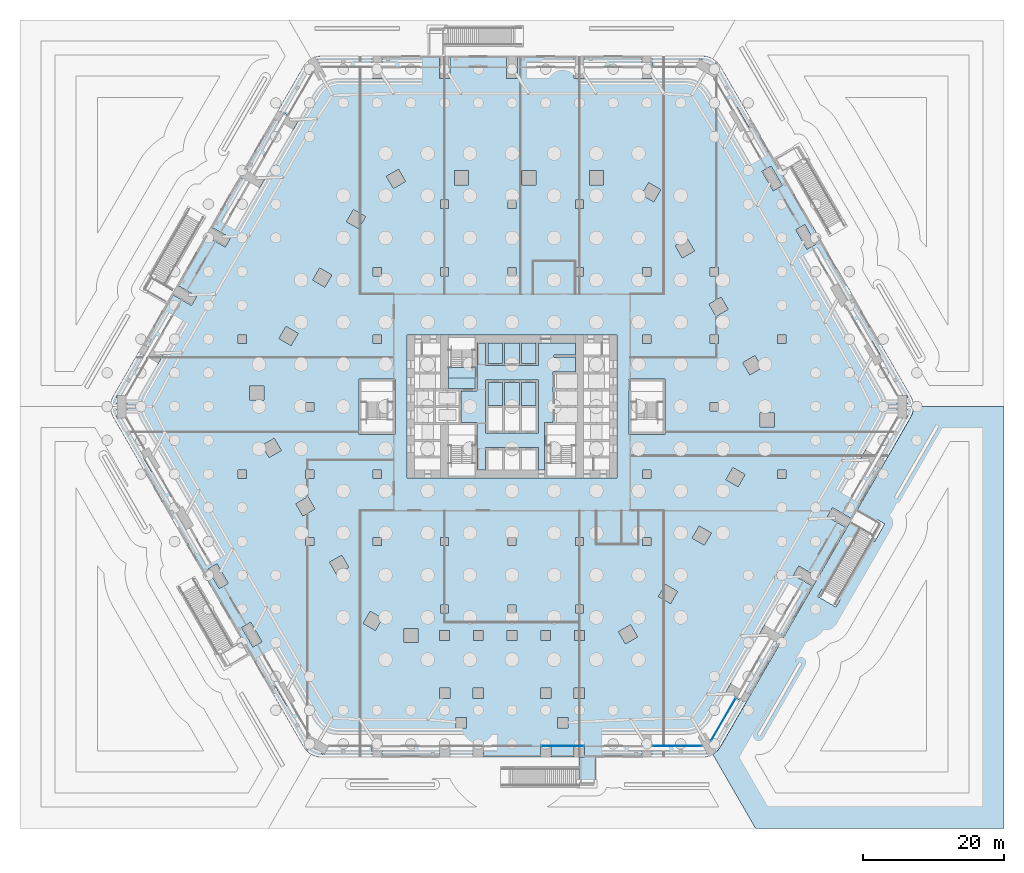
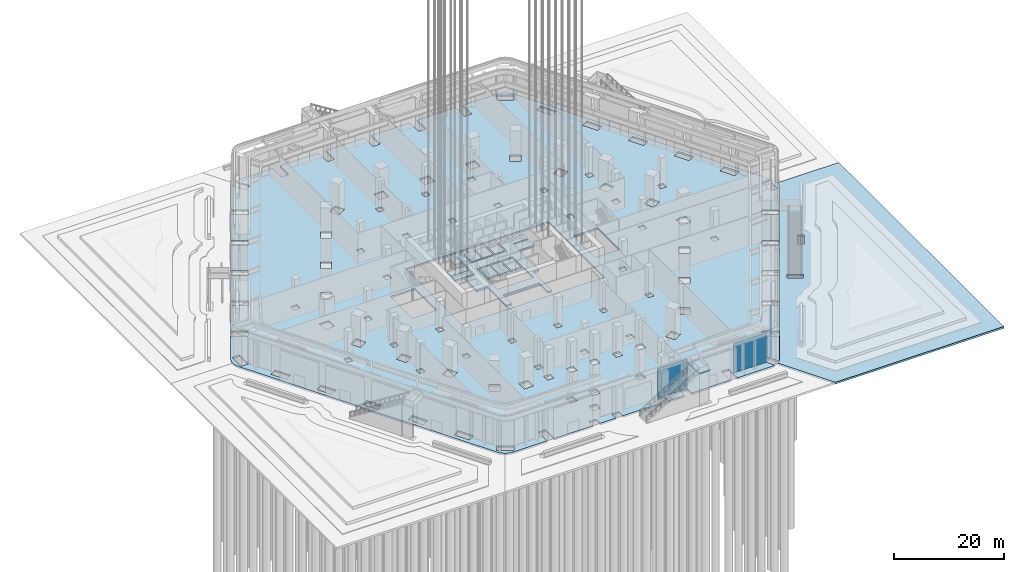
# One storey, part 11 of 68: 13 slabs, 3 plates, 5 elements without a shape of their own.
"""IFC4 building model written with IfcOpenShell, lengths in metres."""

from ifc_helpers import new_model, si_unit, direction, frame, origin, origin_2d, place, context, subcontext, project, spatial, polyline, rectangle, outline, extrude, material, layer, layer_set, type_object, element, aggregate, save


model = new_model("IFC4")

# Units and contexts
model_context = context("Model", 3, precision=1e-05, world=origin(), true_north=direction((0.0, 1.0)))
body_context = subcontext(model_context, "Body", "Model", "MODEL_VIEW")
ifc_project = project(units=[si_unit("LENGTHUNIT", "METRE"), si_unit("AREAUNIT", "SQUARE_METRE"), si_unit("VOLUMEUNIT", "CUBIC_METRE"), si_unit("PLANEANGLEUNIT", "RADIAN"), si_unit("MASSUNIT", "GRAM", prefix="KILO")], contexts=[model_context])

# Site, building, storey
site_placement = place(None, origin())
site = spatial("IfcSite", under=ifc_project, at=site_placement, CompositionType="ELEMENT")
building_placement = place(site_placement, origin())
building = spatial("IfcBuilding", under=site, at=building_placement, Name="Kolab Exchange Tower", CompositionType="ELEMENT")
storey_placement = place(building_placement, origin())
storey = spatial("IfcBuildingStorey", under=building, at=storey_placement, Name="L00", CompositionType="ELEMENT", Elevation=0.0)

# Stair, slab
ifc_material_1 = material(Name="Concrete C40/50", Category="concrete")
stair_type_1 = type_object("IfcStairType", Name="GARDEN STAIR RUN C", PredefinedType="STRAIGHT_RUN_STAIR", material=ifc_material_1)
stair_1_placement = place(storey_placement, origin())
stair_1 = element("IfcStair", 1, at=stair_1_placement, inside=storey, type_object=stair_type_1, Name="Garden stair GS4 run C", PredefinedType="STRAIGHT_RUN_STAIR")
ifc_layer_1 = layer(ifc_material_1, 0.199951171875)
ifc_layer_set_1 = layer_set([ifc_layer_1], Name="Concrete C40/50")
slab_type_1 = type_object("IfcSlabType", Name="GARDEN STAIR LANDING 200", PredefinedType="LANDING", material=ifc_layer_set_1)
slab_1_placement = place(storey_placement, frame((0.0, 0.0, 6.800048828125)))
slab_1 = element("IfcSlab", 2, at=slab_1_placement, type_object=slab_type_1, Name="GS4 landing 1", PredefinedType="LANDING", context=body_context, shape_type="SweptSolid", body=[
    extrude(outline(polyline([(11.9599609375, -49.883056640625), (9.554931640625, -49.883056640625), (9.554931640625, -53.883056640625), (11.9599609375, -53.883056640625), (11.9599609375, -49.883056640625)])), origin(), (0.0, 0.0, 1.0), 0.199951171875),
])
aggregate(stair_1, [slab_1])

# Slabs
ifc_material_2 = material(Name="Concrete C35/45", Category="concrete")
ifc_layer_2 = layer(ifc_material_2, 0.39990234375)
ifc_layer_set_2 = layer_set([ifc_layer_2], Name="Concrete C35/45")
slab_type_2 = type_object("IfcSlabType", Name="GROUND SLAB 400", PredefinedType="BASESLAB", material=ifc_layer_set_2)
slab_2_placement = place(storey_placement, frame((0.0, 0.0, -0.39990234375)))
element("IfcSlab", 3, at=slab_2_placement, inside=storey, type_object=slab_type_2, Name="slab/L00/floor/0", PredefinedType="BASESLAB", context=body_context, shape_type="SweptSolid", body=[
    extrude(outline(polyline([(27.06787109375, 49.883056640625), (19.949951171875, 49.883056640625), (19.949951171875, 46.68310546875), (18.449951171875, 46.68310546875), (18.449951171875, 49.883056640625), (10.35009765625, 49.883056640625), (10.35009765625, 46.68310546875), (8.85009765625, 46.68310546875), (8.85009765625, 49.883056640625), (0.75, 49.883056640625), (0.75, 46.68310546875), (-0.75, 46.68310546875), (-0.75, 49.883056640625), (-8.85009765625, 49.883056640625), (-8.85009765625, 46.68310546875), (-10.35009765625, 46.68310546875), (-10.35009765625, 49.883056640625), (-18.449951171875, 49.883056640625), (-18.449951171875, 46.68310546875), (-19.949951171875, 46.68310546875), (-19.949951171875, 49.883056640625), (-27.06787109375, 49.883056640625), (-27.5888671875, 49.83740234375), (-27.864990234375, 49.763427734375), (-26.318359375, 47.0849609375), (-27.617431640625, 46.3349609375), (-29.1640625, 49.013427734375), (-29.365966796875, 48.8115234375), (-29.666015625, 48.383056640625), (-33.22509765625, 42.21875), (-30.45361328125, 40.61865234375), (-31.20361328125, 39.319580078125), (-33.97509765625, 40.919677734375), (-38.02490234375, 33.90478515625), (-35.253662109375, 32.304931640625), (-36.003662109375, 31.005859375), (-38.77490234375, 32.60595703125), (-42.824951171875, 25.591064453125), (-40.0537109375, 23.990966796875), (-40.8037109375, 22.69189453125), (-43.574951171875, 24.2919921875), (-47.625, 17.277099609375), (-44.853759765625, 15.67724609375), (-45.603759765625, 14.378173828125), (-48.375, 15.978271484375), (-52.425048828125, 8.96337890625), (-49.65380859375, 7.36328125), (-50.40380859375, 6.064208984375), (-53.175048828125, 7.664306640625), (-56.73388671875, 1.5), (-56.955078125, 1.026123046875), (-57.09033203125, 0.52099609375), (-57.135986328125, 0.0), (-57.09033203125, -0.52099609375), (-56.955078125, -1.026123046875), (-56.73388671875, -1.5), (-29.666015625, -48.383056640625), (-29.365966796875, -48.8115234375), (-28.996337890625, -49.18115234375), (-28.56787109375, -49.481201171875), (-28.093994140625, -49.7021484375), (-27.5888671875, -49.83740234375), (-27.06787109375, -49.883056640625), (-19.949951171875, -49.883056640625), (-19.949951171875, -46.68310546875), (-18.449951171875, -46.68310546875), (-18.449951171875, -49.883056640625), (-10.35009765625, -49.883056640625), (-10.35009765625, -48.383056640625), (-8.85009765625, -48.383056640625), (-8.85009765625, -49.883056640625), (-5.550048828125, -49.883056640625), (-5.550048828125, -48.383056640625), (-4.050048828125, -48.383056640625), (-4.050048828125, -49.883056640625), (4.050048828125, -49.883056640625), (4.050048828125, -48.383056640625), (5.550048828125, -48.383056640625), (5.550048828125, -49.883056640625), (8.85009765625, -49.883056640625), (8.85009765625, -48.383056640625), (10.35009765625, -48.383056640625), (10.35009765625, -49.883056640625), (18.449951171875, -49.883056640625), (18.449951171875, -46.68310546875), (19.949951171875, -46.68310546875), (19.949951171875, -49.883056640625), (27.06787109375, -49.883056640625), (27.5888671875, -49.83740234375), (27.864990234375, -49.763427734375), (26.318359375, -47.0849609375), (27.617431640625, -46.3349609375), (29.1640625, -49.013427734375), (29.365966796875, -48.8115234375), (29.666015625, -48.383056640625), (33.22509765625, -42.21875), (30.45361328125, -40.61865234375), (31.20361328125, -39.319580078125), (33.97509765625, -40.919677734375), (38.02490234375, -33.90478515625), (35.253662109375, -32.304931640625), (36.003662109375, -31.005859375), (38.77490234375, -32.60595703125), (42.824951171875, -25.591064453125), (40.0537109375, -23.990966796875), (40.8037109375, -22.69189453125), (43.574951171875, -24.2919921875), (47.625, -17.277099609375), (44.853759765625, -15.67724609375), (45.603759765625, -14.378173828125), (48.375, -15.978271484375), (52.425048828125, -8.96337890625), (49.65380859375, -7.36328125), (50.40380859375, -6.064208984375), (53.175048828125, -7.664306640625), (56.73388671875, -1.5), (56.955078125, -1.026123046875), (57.09033203125, -0.52099609375), (57.135986328125, 0.0), (57.09033203125, 0.52099609375), (56.955078125, 1.026123046875), (56.73388671875, 1.5), (29.666015625, 48.383056640625), (29.365966796875, 48.8115234375), (28.996337890625, 49.18115234375), (28.56787109375, 49.481201171875), (28.093994140625, 49.7021484375), (27.5888671875, 49.83740234375), (27.06787109375, 49.883056640625)]), holes=[polyline([(-28.778564453125, -46.64599609375), (-26.00732421875, -48.24609375), (-26.75732421875, -49.544921875), (-29.528564453125, -47.945068359375), (-28.778564453125, -46.64599609375)]), polyline([(-32.36474609375, -39.008544921875), (-30.764892578125, -41.77978515625), (-32.06396484375, -42.52978515625), (-33.663818359375, -39.758544921875), (-32.36474609375, -39.008544921875)]), polyline([(-15.39990234375, -31.555419921875), (-13.39990234375, -31.555419921875), (-13.39990234375, -33.555419921875), (-15.39990234375, -33.555419921875), (-15.39990234375, -31.555419921875)]), polyline([(-37.164794921875, -30.69482421875), (-35.56494140625, -33.466064453125), (-36.86376953125, -34.216064453125), (-38.4638671875, -31.44482421875), (-37.164794921875, -30.69482421875)]), polyline([(-20.171875, -29.1318359375), (-18.43994140625, -30.1318359375), (-19.43994140625, -31.86376953125), (-21.171875, -30.86376953125), (-20.171875, -29.1318359375)]), polyline([(-43.263916015625, -23.130859375), (-41.96484375, -22.380859375), (-40.36474609375, -25.152099609375), (-41.663818359375, -25.902099609375), (-43.263916015625, -23.130859375)]), polyline([(-24.227783203125, -21.14697265625), (-23.227783203125, -22.879150390625), (-24.959716796875, -23.879150390625), (-25.959716796875, -22.14697265625), (-24.227783203125, -21.14697265625)]), polyline([(-28.199951171875, -18.60009765625), (-28.199951171875, -19.800048828125), (-29.39990234375, -19.800048828125), (-29.39990234375, -18.60009765625), (-28.199951171875, -18.60009765625)]), polyline([(-19.800048828125, -18.60009765625), (-18.60009765625, -18.60009765625), (-18.60009765625, -19.800048828125), (-19.800048828125, -19.800048828125), (-19.800048828125, -18.60009765625)]), polyline([(-46.764892578125, -14.067138671875), (-45.164794921875, -16.83837890625), (-46.4638671875, -17.58837890625), (-48.06396484375, -14.817138671875), (-46.764892578125, -14.067138671875)]), polyline([(-29.02783203125, -12.833251953125), (-28.02783203125, -14.565185546875), (-29.759765625, -15.565185546875), (-30.759765625, -13.833251953125), (-29.02783203125, -12.833251953125)]), polyline([(-39.0, -9.0), (-37.800048828125, -9.0), (-37.800048828125, -10.199951171875), (-39.0, -10.199951171875), (-39.0, -9.0)]), polyline([(-28.199951171875, -9.0), (-28.199951171875, -10.199951171875), (-29.39990234375, -10.199951171875), (-29.39990234375, -9.0), (-28.199951171875, -9.0)]), polyline([(-18.60009765625, -9.0), (-18.60009765625, -10.199951171875), (-19.800048828125, -10.199951171875), (-19.800048828125, -9.0), (-18.60009765625, -9.0)]), polyline([(-52.86376953125, -6.503173828125), (-51.56494140625, -5.753173828125), (-49.96484375, -8.5244140625), (-51.263916015625, -9.2744140625), (-52.86376953125, -6.503173828125)]), polyline([(-33.82763671875, -4.519287109375), (-32.82763671875, -6.25146484375), (-34.559814453125, -7.25146484375), (-35.559814453125, -5.519287109375), (-33.82763671875, -4.519287109375)]), polyline([(-21.449951171875, -3.949951171875), (-21.75, -3.949951171875), (-21.75, 3.949951171875), (-21.449951171875, 3.949951171875), (-16.949951171875, 3.949951171875), (-16.64990234375, 3.949951171875), (-16.64990234375, -3.949951171875), (-16.949951171875, -3.949951171875), (-21.449951171875, -3.949951171875)]), polyline([(-13.85009765625, -10.14990234375), (-14.949951171875, -10.14990234375), (-14.949951171875, 10.14990234375), (-13.85009765625, 10.14990234375), (-10.14990234375, 10.14990234375), (-9.050048828125, 10.14990234375), (-5.25, 10.14990234375), (9.050048828125, 10.14990234375), (10.14990234375, 10.14990234375), (13.85009765625, 10.14990234375), (14.949951171875, 10.14990234375), (14.949951171875, -10.14990234375), (13.85009765625, -10.14990234375), (10.14990234375, -10.14990234375), (9.050048828125, -10.14990234375), (4.949951171875, -10.14990234375), (-5.25, -10.14990234375), (-9.050048828125, -10.14990234375), (-10.14990234375, -10.14990234375), (-13.85009765625, -10.14990234375)]), polyline([(-28.199951171875, 0.60009765625), (-28.199951171875, -0.60009765625), (-29.39990234375, -0.60009765625), (-29.39990234375, 0.60009765625), (-28.199951171875, 0.60009765625)]), polyline([(-54.785888671875, 1.60009765625), (-54.785888671875, -1.60009765625), (-56.285888671875, -1.60009765625), (-56.285888671875, 1.60009765625), (-54.785888671875, 1.60009765625)]), polyline([(-35.31494140625, 2.903564453125), (-35.31494140625, 0.903564453125), (-37.31494140625, 0.903564453125), (-37.31494140625, 2.903564453125), (-35.31494140625, 2.903564453125)]), polyline([(-18.60009765625, 10.199951171875), (-18.60009765625, 9.0), (-19.800048828125, 9.0), (-19.800048828125, 10.199951171875), (-18.60009765625, 10.199951171875)]), polyline([(-37.800048828125, 10.199951171875), (-37.800048828125, 9.0), (-39.0, 9.0), (-39.0, 10.199951171875), (-37.800048828125, 10.199951171875)]), polyline([(-33.159912109375, 9.67626953125), (-32.159912109375, 11.408447265625), (-30.427734375, 10.408447265625), (-31.427734375, 8.67626953125), (-33.159912109375, 9.67626953125)]), polyline([(-27.35986328125, 19.72216796875), (-25.627685546875, 18.72216796875), (-26.627685546875, 16.990234375), (-28.35986328125, 17.990234375), (-27.35986328125, 19.72216796875)]), polyline([(-18.60009765625, 19.800048828125), (-18.60009765625, 18.60009765625), (-19.800048828125, 18.60009765625), (-19.800048828125, 19.800048828125), (-18.60009765625, 19.800048828125)]), polyline([(-22.559814453125, 28.0361328125), (-20.82763671875, 27.0361328125), (-21.82763671875, 25.303955078125), (-23.559814453125, 26.303955078125), (-22.559814453125, 28.0361328125)]), polyline([(-16.14306640625, 33.767333984375), (-15.14306640625, 32.035400390625), (-16.875, 31.035400390625), (-17.875, 32.767333984375), (-16.14306640625, 33.767333984375)]), polyline([(-6.449951171875, -44.22607421875), (-6.449951171875, -45.72607421875), (-7.949951171875, -45.72607421875), (-7.949951171875, -44.22607421875), (-6.449951171875, -44.22607421875)]), polyline([(-10.35009765625, -40.0693359375), (-8.85009765625, -40.0693359375), (-8.85009765625, -41.5693359375), (-10.35009765625, -41.5693359375), (-10.35009765625, -40.0693359375)]), polyline([(-8.89990234375, -31.85546875), (-8.89990234375, -33.25537109375), (-10.300048828125, -33.25537109375), (-10.300048828125, -31.85546875), (-8.89990234375, -31.85546875)]), polyline([(-9.0, -28.199951171875), (-9.0, -29.39990234375), (-10.199951171875, -29.39990234375), (-10.199951171875, -28.199951171875), (-9.0, -28.199951171875)]), polyline([(-9.0, -18.60009765625), (-9.0, -19.800048828125), (-10.199951171875, -19.800048828125), (-10.199951171875, -18.60009765625), (-9.0, -18.60009765625)]), polyline([(-10.199951171875, 19.800048828125), (-9.0, 19.800048828125), (-9.0, 18.60009765625), (-10.199951171875, 18.60009765625), (-10.199951171875, 19.800048828125)]), polyline([(-9.0, 29.39990234375), (-9.0, 28.199951171875), (-10.199951171875, 28.199951171875), (-10.199951171875, 29.39990234375), (-9.0, 29.39990234375)]), polyline([(-6.199951171875, 33.555419921875), (-6.199951171875, 31.555419921875), (-8.199951171875, 31.555419921875), (-8.199951171875, 33.555419921875), (-6.199951171875, 33.555419921875)]), polyline([(-4.050048828125, -40.0693359375), (-4.050048828125, -41.5693359375), (-5.550048828125, -41.5693359375), (-5.550048828125, -40.0693359375), (-4.050048828125, -40.0693359375)]), polyline([(5.5, -31.85546875), (5.5, -33.25537109375), (4.10009765625, -33.25537109375), (4.10009765625, -31.85546875), (5.5, -31.85546875)]), polyline([(-4.10009765625, -31.85546875), (-4.10009765625, -33.25537109375), (-5.5, -33.25537109375), (-5.5, -31.85546875), (-4.10009765625, -31.85546875)]), polyline([(0.699951171875, -31.85546875), (0.699951171875, -33.25537109375), (-0.699951171875, -33.25537109375), (-0.699951171875, -31.85546875), (0.699951171875, -31.85546875)]), polyline([(0.60009765625, -28.199951171875), (0.60009765625, -29.39990234375), (-0.60009765625, -29.39990234375), (-0.60009765625, -28.199951171875), (0.60009765625, -28.199951171875)]), polyline([(-0.60009765625, -18.60009765625), (0.60009765625, -18.60009765625), (0.60009765625, -19.800048828125), (-0.60009765625, -19.800048828125), (-0.60009765625, -18.60009765625)]), polyline([(0.60009765625, 19.800048828125), (0.60009765625, 18.60009765625), (-0.60009765625, 18.60009765625), (-0.60009765625, 19.800048828125), (0.60009765625, 19.800048828125)]), polyline([(0.60009765625, 29.39990234375), (0.60009765625, 28.199951171875), (-0.60009765625, 28.199951171875), (-0.60009765625, 29.39990234375), (0.60009765625, 29.39990234375)]), polyline([(3.39990234375, 33.555419921875), (3.39990234375, 31.555419921875), (1.39990234375, 31.555419921875), (1.39990234375, 33.555419921875), (3.39990234375, 33.555419921875)]), polyline([(6.449951171875, -44.22607421875), (7.949951171875, -44.22607421875), (7.949951171875, -45.72607421875), (6.449951171875, -45.72607421875), (6.449951171875, -44.22607421875)]), polyline([(5.550048828125, -40.0693359375), (5.550048828125, -41.5693359375), (4.050048828125, -41.5693359375), (4.050048828125, -40.0693359375), (5.550048828125, -40.0693359375)]), polyline([(10.35009765625, -40.0693359375), (10.35009765625, -41.5693359375), (8.85009765625, -41.5693359375), (8.85009765625, -40.0693359375), (10.35009765625, -40.0693359375)]), polyline([(8.89990234375, -31.85546875), (10.300048828125, -31.85546875), (10.300048828125, -33.25537109375), (8.89990234375, -33.25537109375), (8.89990234375, -31.85546875)]), polyline([(10.199951171875, -28.199951171875), (10.199951171875, -29.39990234375), (9.0, -29.39990234375), (9.0, -28.199951171875), (10.199951171875, -28.199951171875)]), polyline([(10.199951171875, -18.60009765625), (10.199951171875, -19.800048828125), (9.0, -19.800048828125), (9.0, -18.60009765625), (10.199951171875, -18.60009765625)]), polyline([(10.199951171875, 19.800048828125), (10.199951171875, 18.60009765625), (9.0, 18.60009765625), (9.0, 19.800048828125), (10.199951171875, 19.800048828125)]), polyline([(10.199951171875, 29.39990234375), (10.199951171875, 28.199951171875), (9.0, 28.199951171875), (9.0, 29.39990234375), (10.199951171875, 29.39990234375)]), polyline([(13.0, 33.555419921875), (13.0, 31.555419921875), (11.0, 31.555419921875), (11.0, 33.555419921875), (13.0, 33.555419921875)]), polyline([(16.875, -31.035400390625), (17.875, -32.767333984375), (16.14306640625, -33.767333984375), (15.14306640625, -32.035400390625), (16.875, -31.035400390625)]), polyline([(20.82763671875, -27.0361328125), (21.82763671875, -25.303955078125), (23.559814453125, -26.303955078125), (22.559814453125, -28.0361328125), (20.82763671875, -27.0361328125)]), polyline([(19.800048828125, -18.60009765625), (19.800048828125, -19.800048828125), (18.60009765625, -19.800048828125), (18.60009765625, -18.60009765625), (19.800048828125, -18.60009765625)]), polyline([(26.627685546875, -16.990234375), (28.35986328125, -17.990234375), (27.35986328125, -19.72216796875), (25.627685546875, -18.72216796875), (26.627685546875, -16.990234375)]), polyline([(31.427734375, -8.67626953125), (33.159912109375, -9.67626953125), (32.159912109375, -11.408447265625), (30.427734375, -10.408447265625), (31.427734375, -8.67626953125)]), polyline([(19.800048828125, -9.0), (19.800048828125, -10.199951171875), (18.60009765625, -10.199951171875), (18.60009765625, -9.0), (19.800048828125, -9.0)]), polyline([(37.800048828125, -9.0), (39.0, -9.0), (39.0, -10.199951171875), (37.800048828125, -10.199951171875), (37.800048828125, -9.0)]), polyline([(16.64990234375, 3.949951171875), (16.949951171875, 3.949951171875), (21.449951171875, 3.949951171875), (21.75, 3.949951171875), (21.75, -3.949951171875), (21.449951171875, -3.949951171875), (16.949951171875, -3.949951171875), (16.64990234375, -3.949951171875), (16.64990234375, 3.949951171875)]), polyline([(35.31494140625, -0.903564453125), (37.31494140625, -0.903564453125), (37.31494140625, -2.903564453125), (35.31494140625, -2.903564453125), (35.31494140625, -0.903564453125)]), polyline([(54.785888671875, 1.60009765625), (56.285888671875, 1.60009765625), (56.285888671875, -1.60009765625), (54.785888671875, -1.60009765625), (54.785888671875, 1.60009765625)]), polyline([(29.39990234375, 0.60009765625), (29.39990234375, -0.60009765625), (28.199951171875, -0.60009765625), (28.199951171875, 0.60009765625), (29.39990234375, 0.60009765625)]), polyline([(34.559814453125, 7.25146484375), (35.559814453125, 5.519287109375), (33.82763671875, 4.519287109375), (32.82763671875, 6.25146484375), (34.559814453125, 7.25146484375)]), polyline([(51.263916015625, 9.2744140625), (52.86376953125, 6.503173828125), (51.56494140625, 5.753173828125), (49.96484375, 8.5244140625), (51.263916015625, 9.2744140625)]), polyline([(39.0, 10.199951171875), (39.0, 9.0), (37.800048828125, 9.0), (37.800048828125, 10.199951171875), (39.0, 10.199951171875)]), polyline([(18.60009765625, 10.199951171875), (19.800048828125, 10.199951171875), (19.800048828125, 9.0), (18.60009765625, 9.0), (18.60009765625, 10.199951171875)]), polyline([(29.39990234375, 10.199951171875), (29.39990234375, 9.0), (28.199951171875, 9.0), (28.199951171875, 10.199951171875), (29.39990234375, 10.199951171875)]), polyline([(29.759765625, 15.565185546875), (30.759765625, 13.833251953125), (29.02783203125, 12.833251953125), (28.02783203125, 14.565185546875), (29.759765625, 15.565185546875)]), polyline([(45.164794921875, 16.83837890625), (46.4638671875, 17.58837890625), (48.06396484375, 14.817138671875), (46.764892578125, 14.067138671875), (45.164794921875, 16.83837890625)]), polyline([(19.800048828125, 19.800048828125), (19.800048828125, 18.60009765625), (18.60009765625, 18.60009765625), (18.60009765625, 19.800048828125), (19.800048828125, 19.800048828125)]), polyline([(29.39990234375, 19.800048828125), (29.39990234375, 18.60009765625), (28.199951171875, 18.60009765625), (28.199951171875, 19.800048828125), (29.39990234375, 19.800048828125)]), polyline([(23.227783203125, 22.879150390625), (24.959716796875, 23.879150390625), (25.959716796875, 22.14697265625), (24.227783203125, 21.14697265625), (23.227783203125, 22.879150390625)]), polyline([(41.663818359375, 25.902099609375), (43.263916015625, 23.130859375), (41.96484375, 22.380859375), (40.36474609375, 25.152099609375), (41.663818359375, 25.902099609375)]), polyline([(19.43994140625, 31.86376953125), (21.171875, 30.86376953125), (20.171875, 29.1318359375), (18.43994140625, 30.1318359375), (19.43994140625, 31.86376953125)]), polyline([(36.86376953125, 34.216064453125), (38.4638671875, 31.44482421875), (37.164794921875, 30.69482421875), (35.56494140625, 33.466064453125), (36.86376953125, 34.216064453125)]), polyline([(32.06396484375, 42.52978515625), (33.663818359375, 39.758544921875), (32.36474609375, 39.008544921875), (30.764892578125, 41.77978515625), (32.06396484375, 42.52978515625)]), polyline([(26.75732421875, 49.544921875), (29.528564453125, 47.945068359375), (28.778564453125, 46.64599609375), (26.00732421875, 48.24609375), (26.75732421875, 49.544921875)])]), origin(), (0.0, 0.0, 1.0), 0.39990234375),
])
slab_3_placement = place(storey_placement, frame((0.0, 0.0, -0.39990234375)))
element("IfcSlab", 4, at=slab_3_placement, inside=storey, type_object=slab_type_2, Name="slab/L00/floor/1", PredefinedType="BASESLAB", context=body_context, shape_type="SweptSolid", body=[
    extrude(outline(polyline([(-5.25, 2.25), (-7.25, 2.25), (-7.25, -2.25), (-5.25, -2.25), (-4.949951171875, -2.25), (-4.949951171875, -9.050048828125), (-3.75, -9.050048828125), (-3.75, -5.85009765625), (-3.449951171875, -5.85009765625), (-1.35009765625, -5.85009765625), (-1.050048828125, -5.85009765625), (1.050048828125, -5.85009765625), (1.35009765625, -5.85009765625), (3.449951171875, -5.85009765625), (3.75, -5.85009765625), (3.75, -9.050048828125), (4.64990234375, -9.050048828125), (4.64990234375, -2.25), (4.949951171875, -2.25), (5.85009765625, -2.25), (5.85009765625, 4.949951171875), (6.14990234375, 4.949951171875), (9.050048828125, 4.949951171875), (9.050048828125, 7.050048828125), (6.0, 7.050048828125), (6.0, 7.35009765625), (9.050048828125, 7.35009765625), (9.050048828125, 9.050048828125), (3.75, 9.050048828125), (3.75, 5.85009765625), (3.449951171875, 5.85009765625), (1.35009765625, 5.85009765625), (1.050048828125, 5.85009765625), (-1.050048828125, 5.85009765625), (-1.35009765625, 5.85009765625), (-3.449951171875, 5.85009765625), (-3.75, 5.85009765625), (-3.75, 9.050048828125), (-4.949951171875, 9.050048828125), (-4.949951171875, 2.25), (-5.25, 2.25)]), holes=[polyline([(1.050048828125, -3.75), (-1.050048828125, -3.75), (-1.35009765625, -3.75), (-3.449951171875, -3.75), (-3.75, -3.75), (-3.75, 3.75), (-3.449951171875, 3.75), (-1.35009765625, 3.75), (-1.050048828125, 3.75), (1.050048828125, 3.75), (1.35009765625, 3.75), (3.449951171875, 3.75), (3.75, 3.75), (3.75, -3.75), (3.449951171875, -3.75), (1.35009765625, -3.75), (1.050048828125, -3.75)])]), origin(), (0.0, 0.0, 1.0), 0.39990234375),
])
slab_4_placement = place(storey_placement, frame((0.0, 0.0, -0.39990234375)))
element("IfcSlab", 5, at=slab_4_placement, inside=storey, type_object=slab_type_2, Name="slab/L00/floor/3", PredefinedType="BASESLAB", context=body_context, shape_type="SweptSolid", body=[
    extrude(outline(polyline([(-1.35009765625, 3.449951171875), (-3.449951171875, 3.449951171875), (-3.449951171875, 0.14990234375), (-1.35009765625, 0.14990234375), (-1.35009765625, 3.449951171875)])), origin(), (0.0, 0.0, 1.0), 0.39990234375),
])
slab_5_placement = place(storey_placement, frame((0.0, 0.0, -0.39990234375)))
element("IfcSlab", 6, at=slab_5_placement, inside=storey, type_object=slab_type_2, Name="slab/L00/floor/5", PredefinedType="BASESLAB", context=body_context, shape_type="SweptSolid", body=[
    extrude(outline(polyline([(1.050048828125, 0.14990234375), (1.050048828125, 3.449951171875), (-1.050048828125, 3.449951171875), (-1.050048828125, 0.14990234375), (1.050048828125, 0.14990234375)])), origin(), (0.0, 0.0, 1.0), 0.39990234375),
])
slab_6_placement = place(storey_placement, frame((0.0, 0.0, -0.39990234375)))
element("IfcSlab", 7, at=slab_6_placement, inside=storey, type_object=slab_type_2, Name="slab/L00/floor/7", PredefinedType="BASESLAB", context=body_context, shape_type="SweptSolid", body=[
    extrude(outline(polyline([(1.35009765625, 0.14990234375), (3.449951171875, 0.14990234375), (3.449951171875, 3.449951171875), (1.35009765625, 3.449951171875), (1.35009765625, 0.14990234375)])), origin(), (0.0, 0.0, 1.0), 0.39990234375),
])
slab_7_placement = place(storey_placement, frame((0.0, 0.0, -0.39990234375)))
element("IfcSlab", 8, at=slab_7_placement, inside=storey, type_object=slab_type_2, Name="slab/L00/floor/16", PredefinedType="BASESLAB", context=body_context, shape_type="SweptSolid", body=[
    extrude(outline(polyline([(-1.050048828125, 9.050048828125), (-1.050048828125, 6.14990234375), (1.050048828125, 6.14990234375), (1.050048828125, 9.050048828125), (-1.050048828125, 9.050048828125)])), origin(), (0.0, 0.0, 1.0), 0.39990234375),
])
slab_8_placement = place(storey_placement, frame((0.0, 0.0, -0.39990234375)))
element("IfcSlab", 9, at=slab_8_placement, inside=storey, type_object=slab_type_2, Name="slab/L00/floor/18", PredefinedType="BASESLAB", context=body_context, shape_type="SweptSolid", body=[
    extrude(outline(polyline([(-1.35009765625, 6.14990234375), (-1.35009765625, 9.050048828125), (-3.449951171875, 9.050048828125), (-3.449951171875, 6.14990234375), (-1.35009765625, 6.14990234375)])), origin(), (0.0, 0.0, 1.0), 0.39990234375),
])
slab_9_placement = place(storey_placement, frame((0.0, 0.0, -0.39990234375)))
element("IfcSlab", 10, at=slab_9_placement, inside=storey, type_object=slab_type_2, Name="slab/L00/floor/20", PredefinedType="BASESLAB", context=body_context, shape_type="SweptSolid", body=[
    extrude(outline(polyline([(1.35009765625, 6.14990234375), (3.449951171875, 6.14990234375), (3.449951171875, 9.050048828125), (1.35009765625, 9.050048828125), (1.35009765625, 6.14990234375)])), origin(), (0.0, 0.0, 1.0), 0.39990234375),
])
slab_10_placement = place(storey_placement, frame((0.0, 0.0, -0.39990234375)))
element("IfcSlab", 11, at=slab_10_placement, inside=storey, type_object=slab_type_2, Name="slab/L00/floor/22", PredefinedType="BASESLAB", context=body_context, shape_type="SweptSolid", body=[
    extrude(outline(polyline([(-5.25, 4.050048828125), (-9.050048828125, 4.050048828125), (-9.050048828125, 2.550048828125), (-7.550048828125, 2.550048828125), (-7.25, 2.550048828125), (-5.25, 2.550048828125), (-5.25, 4.050048828125)])), origin(), (0.0, 0.0, 1.0), 0.39990234375),
])
ifc_material_3 = material(Name="Concrete C30/37", Category="concrete")
ifc_layer_3 = layer(ifc_material_3, 0.39990234375)
ifc_layer_set_3 = layer_set([ifc_layer_3], Name="Concrete C30/37")
slab_type_3 = type_object("IfcSlabType", Name="PAVING SLAB 400", PredefinedType="USERDEFINED", material=ifc_layer_set_3)
slab_11_placement = place(storey_placement, frame((0.0, 0.0, -0.39990234375)))
element("IfcSlab", 12, at=slab_11_placement, inside=storey, type_object=slab_type_3, Name="slab/L00/paving/5", ObjectType="PAVING", PredefinedType="USERDEFINED", context=body_context, shape_type="SweptSolid", body=[
    extrude(outline(polyline([(70.0, -60.0), (70.0, 0.0), (57.135986328125, 0.0), (57.09033203125, -0.52099609375), (56.955078125, -1.026123046875), (56.73388671875, -1.5), (29.666015625, -48.383056640625), (29.365966796875, -48.8115234375), (28.996337890625, -49.18115234375), (28.56787109375, -49.481201171875), (34.64111328125, -60.0), (70.0, -60.0)]), holes=[polyline([(43.495849609375, -27.029052734375), (44.095947265625, -25.989990234375), (46.69384765625, -27.489990234375), (46.093994140625, -28.529052734375), (43.495849609375, -27.029052734375)]), polyline([(53.04052734375, -16.697265625), (51.590576171875, -19.208740234375), (50.55126953125, -18.608642578125), (52.001220703125, -16.09716796875), (53.04052734375, -16.697265625)])]), origin(), (0.0, 0.0, 1.0), 0.39990234375),
])

# Curtain wall, plate
ifc_material_4 = material(Name="Aluminium EN AW-6063 T6", Category="aluminium")
curtain_wall_type = type_object("IfcCurtainWallType", Name="PODIUM STRUCTURAL GLAZING CURTAIN WALL", PredefinedType="NOTDEFINED", material=ifc_material_4)
curtain_wall_1_placement = place(storey_placement, origin())
curtain_wall_1 = element("IfcCurtainWall", 13, at=curtain_wall_1_placement, inside=storey, type_object=curtain_wall_type, Name="cw/L00/F3-2", PredefinedType="NOTDEFINED")
ifc_material_5 = material(Name="Clear insulated glazing unit", Category="glass")
ifc_layer_4 = layer(ifc_material_5, 0.035888671875)
ifc_layer_set_4 = layer_set([ifc_layer_4], Name="Clear insulated glazing unit")
plate_type = type_object("IfcPlateType", Name="PODIUM STRUCTURAL GLAZING GLASS PANEL 36", PredefinedType="CURTAIN_PANEL", material=ifc_layer_set_4)
plate_1_placement = place(storey_placement, frame((30.087158203125, -44.49365234375, 0.080078125), z_axis=(0.0, 0.0, 1.0), x_axis=(-0.500000032603, -0.866025384961, 0.0)))
plate_1 = element("IfcPlate", 14, at=plate_1_placement, type_object=plate_type, Name="CW5 panel 1.1", PredefinedType="CURTAIN_PANEL", context=body_context, shape_type="SweptSolid", body=[
    extrude(rectangle(XDim=6.998046875, YDim=0.035888671875, at=origin_2d()), origin(), (0.0, 0.0, 1.0), 6.5400390625),
])
aggregate(curtain_wall_1, [plate_1])

curtain_wall_2_placement = place(storey_placement, origin())
curtain_wall_2 = element("IfcCurtainWall", 15, at=curtain_wall_2_placement, inside=storey, type_object=curtain_wall_type, Name="cw/L00/F4-1", PredefinedType="NOTDEFINED")
plate_2_placement = place(storey_placement, frame((23.489013671875, -48.302978515625, 0.080078125), z_axis=(0.0, 0.0, 1.0), x_axis=(-1.0, 0.0, 0.0)))
plate_2 = element("IfcPlate", 16, at=plate_2_placement, type_object=plate_type, Name="CW5 panel 1.1", PredefinedType="CURTAIN_PANEL", context=body_context, shape_type="SweptSolid", body=[
    extrude(rectangle(XDim=6.998046875, YDim=0.035888671875, at=origin_2d()), origin(), (0.0, 0.0, 1.0), 6.5400390625),
])
aggregate(curtain_wall_2, [plate_2])

curtain_wall_3_placement = place(storey_placement, origin())
curtain_wall_3 = element("IfcCurtainWall", 17, at=curtain_wall_3_placement, inside=storey, type_object=curtain_wall_type, Name="cw/L00/F4-2", PredefinedType="NOTDEFINED")
plate_3_placement = place(storey_placement, frame((7.199951171875, -48.302978515625, 0.080078125), z_axis=(0.0, 0.0, 1.0), x_axis=(-1.0, 0.0, 0.0)))
plate_3 = element("IfcPlate", 18, at=plate_3_placement, type_object=plate_type, Name="CW5 panel 1.1", PredefinedType="CURTAIN_PANEL", context=body_context, shape_type="SweptSolid", body=[
    extrude(rectangle(XDim=6.14404296875, YDim=0.035888671875, at=origin_2d()), origin(), (0.0, 0.0, 1.0), 6.5400390625),
])
aggregate(curtain_wall_3, [plate_3])

# Stair, slabs
ifc_material_6 = material(Name="Concrete C50/60", Category="concrete")
stair_type_2 = type_object("IfcStairType", Name="STAIR ST1 RISER 175", PredefinedType="DOUBLE_RETURN_STAIR", material=ifc_material_6)
stair_2_placement = place(storey_placement, origin())
stair_2 = element("IfcStair", 19, at=stair_2_placement, inside=storey, type_object=stair_type_2, Name="Stair 1", PredefinedType="DOUBLE_RETURN_STAIR")
ifc_layer_5 = layer(ifc_material_6, 0.199951171875)
ifc_layer_set_5 = layer_set([ifc_layer_5], Name="Concrete C50/60")
slab_type_4 = type_object("IfcSlabType", Name="STAIR LANDING 200", PredefinedType="LANDING", material=ifc_layer_set_5)
slab_12_placement = place(storey_placement, frame((0.0, 0.0, -0.199951171875)))
slab_12 = element("IfcSlab", 20, at=slab_12_placement, type_object=slab_type_4, Name="ST1 landing 1", PredefinedType="LANDING", context=body_context, shape_type="SweptSolid", body=[
    extrude(outline(polyline([(-9.050048828125, 4.050048828125), (-5.25, 4.050048828125), (-5.25, 5.550048828125), (-9.050048828125, 5.550048828125), (-9.050048828125, 4.050048828125)])), origin(), (0.0, 0.0, 1.0), 0.199951171875),
])
slab_13_placement = place(storey_placement, frame((0.0, 0.0, 3.300048828125)))
slab_13 = element("IfcSlab", 21, at=slab_13_placement, type_object=slab_type_4, Name="ST1 landing 3", PredefinedType="LANDING", context=body_context, shape_type="SweptSolid", body=[
    extrude(outline(polyline([(-9.110107421875, 2.489990234375), (-5.18994140625, 2.489990234375), (-5.18994140625, 5.550048828125), (-9.110107421875, 5.550048828125), (-9.110107421875, 2.489990234375)])), origin(), (0.0, 0.0, 1.0), 0.199951171875),
])
aggregate(stair_2, [slab_12, slab_13])

save(model, "model.ifc")
